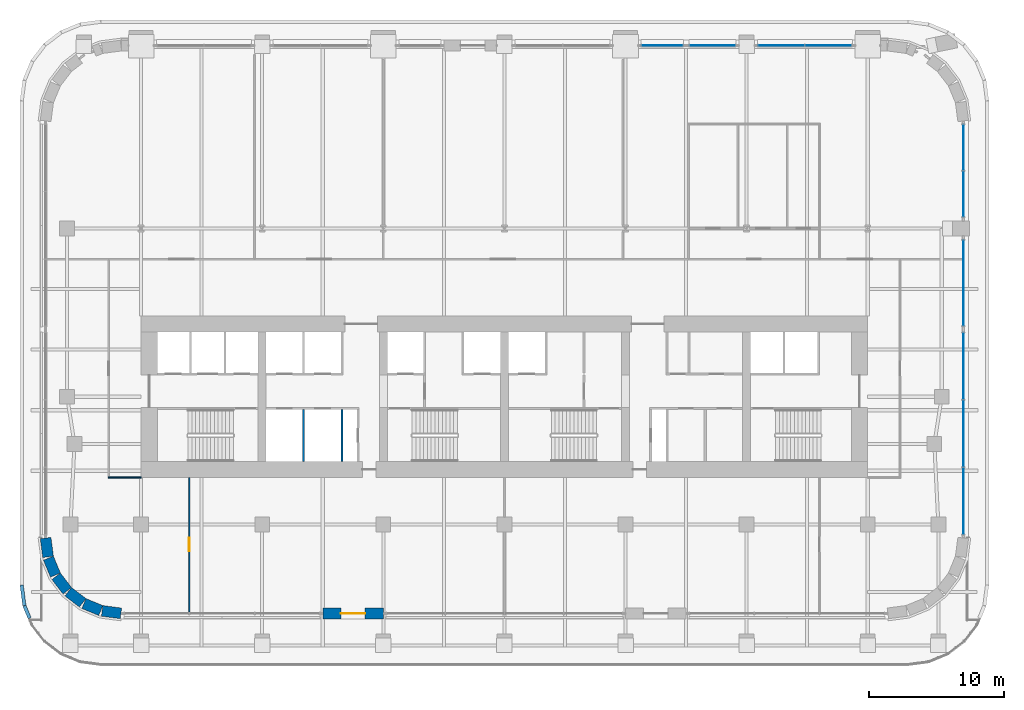
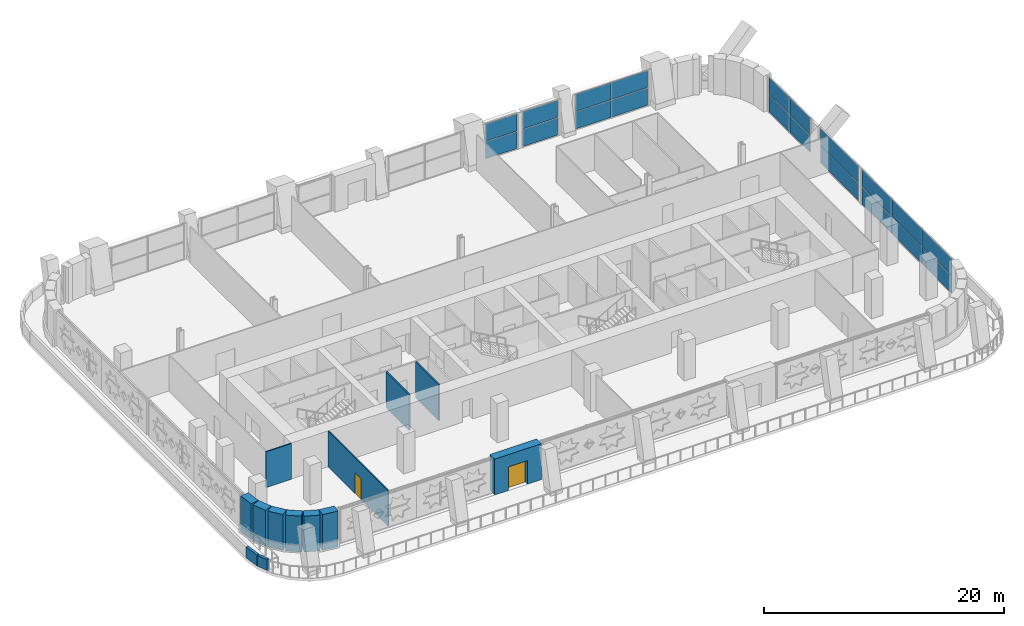
# One storey, part 14 of 26: 20 plates, 13 walls, 2 doors, 2 openings, 6 elements without a shape of their own.
"""IFC4 building model written with IfcOpenShell, lengths in metres."""

from ifc_helpers import new_model, si_unit, direction, frame, frame_2d, origin, origin_2d, place, context, subcontext, project, spatial, rectangle, extrude, material, layer, layer_set, type_object, element, fill, aggregate, save


model = new_model("IFC4")

# Units and contexts
model_context = context("Model", 3, precision=1e-05, world=origin(), true_north=direction((0.0, 1.0)))
body_context = subcontext(model_context, "Body", "Model", "MODEL_VIEW")
ifc_project = project(units=[si_unit("LENGTHUNIT", "METRE"), si_unit("AREAUNIT", "SQUARE_METRE"), si_unit("VOLUMEUNIT", "CUBIC_METRE"), si_unit("PLANEANGLEUNIT", "RADIAN"), si_unit("MASSUNIT", "GRAM", prefix="KILO")], contexts=[model_context])

# Site, building, storey
site_placement = place(None, origin())
site = spatial("IfcSite", under=ifc_project, at=site_placement, CompositionType="ELEMENT")
building_placement = place(site_placement, origin())
building = spatial("IfcBuilding", under=site, at=building_placement, Name="Zellij Exchange Tower", CompositionType="ELEMENT")
storey_placement = place(building_placement, frame((0.0, 0.0, 100.5)))
storey = spatial("IfcBuildingStorey", under=building, at=storey_placement, Name="L21", CompositionType="ELEMENT", Elevation=100.5)

# Curtain wall, plates
ifc_material_1 = material(Name="Aluminium frame, clear insulating glass", Category="aluminium")
curtain_wall_type = type_object("IfcCurtainWallType", Name="ENV-CW6 Sky-lobby glazing", PredefinedType="NOTDEFINED", material=ifc_material_1)
curtain_wall_1_placement = place(storey_placement, origin())
curtain_wall_1 = element("IfcCurtainWall", 1, at=curtain_wall_1_placement, inside=storey, type_object=curtain_wall_type, Name="cw.L21.07a", PredefinedType="NOTDEFINED")
ifc_material_2 = material(Name="Insulating glass unit, clear", Category="glass")
ifc_layer_1 = layer(ifc_material_2, 0.035888671875)
ifc_layer_set_1 = layer_set([ifc_layer_1], Name="Insulating glass unit, clear")
plate_type = type_object("IfcPlateType", Name="ENV-CW6P Glazed panel 36", PredefinedType="CURTAIN_PANEL", material=ifc_layer_set_1)
plate_1_placement = place(storey_placement, frame((34.10009765625, -15.74658203125, 0.06005859375), z_axis=(0.0, 0.0, 1.0), x_axis=(0.0, 1.0, 0.0)))
plate_1 = element("IfcPlate", 2, at=plate_1_placement, type_object=plate_type, Name="CW6 panel 1.1", PredefinedType="CURTAIN_PANEL", context=body_context, shape_type="SweptSolid", body=[
    extrude(rectangle(XDim=4.9345703125, YDim=0.035888671875, at=origin_2d()), origin(), (0.0, 0.0, 1.0), 1.735107421875),
])
plate_2_placement = place(storey_placement, frame((34.10009765625, -15.74658203125, 1.85498046875), z_axis=(0.0, 0.0, 1.0), x_axis=(0.0, 1.0, 0.0)))
plate_2 = element("IfcPlate", 3, at=plate_2_placement, type_object=plate_type, Name="CW6 panel 1.2", PredefinedType="CURTAIN_PANEL", context=body_context, shape_type="SweptSolid", body=[
    extrude(rectangle(XDim=4.9345703125, YDim=0.035888671875, at=origin_2d()), origin(), (0.0, 0.0, 1.0), 1.735107421875),
])
plate_3_placement = place(storey_placement, frame((34.10009765625, -10.73681640625, 0.06005859375), z_axis=(0.0, 0.0, 1.0), x_axis=(0.0, 1.0, 0.0)))
plate_3 = element("IfcPlate", 4, at=plate_3_placement, type_object=plate_type, Name="CW6 panel 2.1", PredefinedType="CURTAIN_PANEL", context=body_context, shape_type="SweptSolid", body=[
    extrude(rectangle(XDim=4.964599609375, YDim=0.035888671875, at=origin_2d()), origin(), (0.0, 0.0, 1.0), 1.735107421875),
])
plate_4_placement = place(storey_placement, frame((34.10009765625, -10.73681640625, 1.85498046875), z_axis=(0.0, 0.0, 1.0), x_axis=(0.0, 1.0, 0.0)))
plate_4 = element("IfcPlate", 5, at=plate_4_placement, type_object=plate_type, Name="CW6 panel 2.2", PredefinedType="CURTAIN_PANEL", context=body_context, shape_type="SweptSolid", body=[
    extrude(rectangle(XDim=4.964599609375, YDim=0.035888671875, at=origin_2d()), origin(), (0.0, 0.0, 1.0), 1.735107421875),
])
plate_5_placement = place(storey_placement, frame((34.10009765625, -5.727294921875, 0.06005859375), z_axis=(0.0, 0.0, 1.0), x_axis=(0.0, 1.0, 0.0)))
plate_5 = element("IfcPlate", 6, at=plate_5_placement, type_object=plate_type, Name="CW6 panel 3.1", PredefinedType="CURTAIN_PANEL", context=body_context, shape_type="SweptSolid", body=[
    extrude(rectangle(XDim=4.9345703125, YDim=0.035888671875, at=origin_2d()), origin(), (0.0, 0.0, 1.0), 1.735107421875),
])
plate_6_placement = place(storey_placement, frame((34.10009765625, -5.727294921875, 1.85498046875), z_axis=(0.0, 0.0, 1.0), x_axis=(0.0, 1.0, 0.0)))
plate_6 = element("IfcPlate", 7, at=plate_6_placement, type_object=plate_type, Name="CW6 panel 3.2", PredefinedType="CURTAIN_PANEL", context=body_context, shape_type="SweptSolid", body=[
    extrude(rectangle(XDim=4.9345703125, YDim=0.035888671875, at=origin_2d()), origin(), (0.0, 0.0, 1.0), 1.735107421875),
])
aggregate(curtain_wall_1, [plate_1, plate_2, plate_3, plate_4, plate_5, plate_6])

curtain_wall_2_placement = place(storey_placement, origin())
curtain_wall_2 = element("IfcCurtainWall", 8, at=curtain_wall_2_placement, inside=storey, type_object=curtain_wall_type, Name="cw.L21.07b", PredefinedType="NOTDEFINED")
plate_7_placement = place(storey_placement, frame((34.10009765625, 0.449951171875, 0.06005859375), z_axis=(0.0, 0.0, 1.0), x_axis=(0.0, 1.0, 0.0)))
plate_7 = element("IfcPlate", 9, at=plate_7_placement, type_object=plate_type, Name="CW6 panel 1.1", PredefinedType="CURTAIN_PANEL", context=body_context, shape_type="SweptSolid", body=[
    extrude(rectangle(XDim=6.3798828125, YDim=0.035888671875, at=origin_2d()), origin(), (0.0, 0.0, 1.0), 1.735107421875),
])
plate_8_placement = place(storey_placement, frame((34.10009765625, 0.449951171875, 1.85498046875), z_axis=(0.0, 0.0, 1.0), x_axis=(0.0, 1.0, 0.0)))
plate_8 = element("IfcPlate", 10, at=plate_8_placement, type_object=plate_type, Name="CW6 panel 1.2", PredefinedType="CURTAIN_PANEL", context=body_context, shape_type="SweptSolid", body=[
    extrude(rectangle(XDim=6.3798828125, YDim=0.035888671875, at=origin_2d()), origin(), (0.0, 0.0, 1.0), 1.735107421875),
])
aggregate(curtain_wall_2, [plate_7, plate_8])

curtain_wall_3_placement = place(storey_placement, origin())
curtain_wall_3 = element("IfcCurtainWall", 11, at=curtain_wall_3_placement, inside=storey, type_object=curtain_wall_type, Name="cw.L21.07c", PredefinedType="NOTDEFINED")
plate_9_placement = place(storey_placement, frame((34.10009765625, 7.058349609375, 0.06005859375), z_axis=(0.0, 0.0, 1.0), x_axis=(0.0, 1.0, 0.0)))
plate_9 = element("IfcPlate", 12, at=plate_9_placement, type_object=plate_type, Name="CW6 panel 1.1", PredefinedType="CURTAIN_PANEL", context=body_context, shape_type="SweptSolid", body=[
    extrude(rectangle(XDim=3.39697265625, YDim=0.035888671875, at=origin_2d()), origin(), (0.0, 0.0, 1.0), 1.735107421875),
])
plate_10_placement = place(storey_placement, frame((34.10009765625, 7.058349609375, 1.85498046875), z_axis=(0.0, 0.0, 1.0), x_axis=(0.0, 1.0, 0.0)))
plate_10 = element("IfcPlate", 13, at=plate_10_placement, type_object=plate_type, Name="CW6 panel 1.2", PredefinedType="CURTAIN_PANEL", context=body_context, shape_type="SweptSolid", body=[
    extrude(rectangle(XDim=3.39697265625, YDim=0.035888671875, at=origin_2d()), origin(), (0.0, 0.0, 1.0), 1.735107421875),
])
plate_11_placement = place(storey_placement, frame((34.10009765625, 10.515380859375, 0.06005859375), z_axis=(0.0, 0.0, 1.0), x_axis=(0.0, 1.0, 0.0)))
plate_11 = element("IfcPlate", 14, at=plate_11_placement, type_object=plate_type, Name="CW6 panel 2.1", PredefinedType="CURTAIN_PANEL", context=body_context, shape_type="SweptSolid", body=[
    extrude(rectangle(XDim=3.39697265625, YDim=0.035888671875, at=origin_2d()), origin(), (0.0, 0.0, 1.0), 1.735107421875),
])
plate_12_placement = place(storey_placement, frame((34.10009765625, 10.515380859375, 1.85498046875), z_axis=(0.0, 0.0, 1.0), x_axis=(0.0, 1.0, 0.0)))
plate_12 = element("IfcPlate", 15, at=plate_12_placement, type_object=plate_type, Name="CW6 panel 2.2", PredefinedType="CURTAIN_PANEL", context=body_context, shape_type="SweptSolid", body=[
    extrude(rectangle(XDim=3.39697265625, YDim=0.035888671875, at=origin_2d()), origin(), (0.0, 0.0, 1.0), 1.735107421875),
])
aggregate(curtain_wall_3, [plate_9, plate_10, plate_11, plate_12])

curtain_wall_4_placement = place(storey_placement, origin())
curtain_wall_4 = element("IfcCurtainWall", 16, at=curtain_wall_4_placement, inside=storey, type_object=curtain_wall_type, Name="cw.L21.14b", PredefinedType="NOTDEFINED")
plate_13_placement = place(storey_placement, frame((24.072509765625, 18.10009765625, 0.06005859375), z_axis=(0.0, 0.0, 1.0), x_axis=(-1.0, 0.0, 0.0)))
plate_13 = element("IfcPlate", 17, at=plate_13_placement, type_object=plate_type, Name="CW6 panel 1.1", PredefinedType="CURTAIN_PANEL", context=body_context, shape_type="SweptSolid", body=[
    extrude(rectangle(XDim=3.43505859375, YDim=0.035888671875, at=origin_2d()), origin(), (0.0, 0.0, 1.0), 1.735107421875),
])
plate_14_placement = place(storey_placement, frame((24.072509765625, 18.10009765625, 1.85498046875), z_axis=(0.0, 0.0, 1.0), x_axis=(-1.0, 0.0, 0.0)))
plate_14 = element("IfcPlate", 18, at=plate_14_placement, type_object=plate_type, Name="CW6 panel 1.2", PredefinedType="CURTAIN_PANEL", context=body_context, shape_type="SweptSolid", body=[
    extrude(rectangle(XDim=3.43505859375, YDim=0.035888671875, at=origin_2d()), origin(), (0.0, 0.0, 1.0), 1.735107421875),
])
plate_15_placement = place(storey_placement, frame((20.577392578125, 18.10009765625, 0.06005859375), z_axis=(0.0, 0.0, 1.0), x_axis=(-1.0, 0.0, 0.0)))
plate_15 = element("IfcPlate", 19, at=plate_15_placement, type_object=plate_type, Name="CW6 panel 2.1", PredefinedType="CURTAIN_PANEL", context=body_context, shape_type="SweptSolid", body=[
    extrude(rectangle(XDim=3.43505859375, YDim=0.035888671875, at=origin_2d()), origin(), (0.0, 0.0, 1.0), 1.735107421875),
])
plate_16_placement = place(storey_placement, frame((20.577392578125, 18.10009765625, 1.85498046875), z_axis=(0.0, 0.0, 1.0), x_axis=(-1.0, 0.0, 0.0)))
plate_16 = element("IfcPlate", 20, at=plate_16_placement, type_object=plate_type, Name="CW6 panel 2.2", PredefinedType="CURTAIN_PANEL", context=body_context, shape_type="SweptSolid", body=[
    extrude(rectangle(XDim=3.43505859375, YDim=0.035888671875, at=origin_2d()), origin(), (0.0, 0.0, 1.0), 1.735107421875),
])
aggregate(curtain_wall_4, [plate_13, plate_14, plate_15, plate_16])

curtain_wall_5_placement = place(storey_placement, origin())
curtain_wall_5 = element("IfcCurtainWall", 21, at=curtain_wall_5_placement, inside=storey, type_object=curtain_wall_type, Name="cw.L21.14c", PredefinedType="NOTDEFINED")
plate_17_placement = place(storey_placement, frame((15.449951171875, 18.10009765625, 0.06005859375), z_axis=(0.0, 0.0, 1.0), x_axis=(-1.0, 0.0, 0.0)))
plate_17 = element("IfcPlate", 22, at=plate_17_placement, type_object=plate_type, Name="CW6 panel 1.1", PredefinedType="CURTAIN_PANEL", context=body_context, shape_type="SweptSolid", body=[
    extrude(rectangle(XDim=3.3798828125, YDim=0.035888671875, at=origin_2d()), origin(), (0.0, 0.0, 1.0), 1.735107421875),
])
plate_18_placement = place(storey_placement, frame((15.449951171875, 18.10009765625, 1.85498046875), z_axis=(0.0, 0.0, 1.0), x_axis=(-1.0, 0.0, 0.0)))
plate_18 = element("IfcPlate", 23, at=plate_18_placement, type_object=plate_type, Name="CW6 panel 1.2", PredefinedType="CURTAIN_PANEL", context=body_context, shape_type="SweptSolid", body=[
    extrude(rectangle(XDim=3.3798828125, YDim=0.035888671875, at=origin_2d()), origin(), (0.0, 0.0, 1.0), 1.735107421875),
])
aggregate(curtain_wall_5, [plate_17, plate_18])

curtain_wall_6_placement = place(storey_placement, origin())
curtain_wall_6 = element("IfcCurtainWall", 24, at=curtain_wall_6_placement, inside=storey, type_object=curtain_wall_type, Name="cw.L21.14d", PredefinedType="NOTDEFINED")
plate_19_placement = place(storey_placement, frame((11.72509765625, 18.10009765625, 0.06005859375), z_axis=(0.0, 0.0, 1.0), x_axis=(-1.0, 0.0, 0.0)))
plate_19 = element("IfcPlate", 25, at=plate_19_placement, type_object=plate_type, Name="CW6 panel 1.1", PredefinedType="CURTAIN_PANEL", context=body_context, shape_type="SweptSolid", body=[
    extrude(rectangle(XDim=3.030029296875, YDim=0.035888671875, at=origin_2d()), origin(), (0.0, 0.0, 1.0), 1.735107421875),
])
plate_20_placement = place(storey_placement, frame((11.72509765625, 18.10009765625, 1.85498046875), z_axis=(0.0, 0.0, 1.0), x_axis=(-1.0, 0.0, 0.0)))
plate_20 = element("IfcPlate", 26, at=plate_20_placement, type_object=plate_type, Name="CW6 panel 1.2", PredefinedType="CURTAIN_PANEL", context=body_context, shape_type="SweptSolid", body=[
    extrude(rectangle(XDim=3.030029296875, YDim=0.035888671875, at=origin_2d()), origin(), (0.0, 0.0, 1.0), 1.735107421875),
])
aggregate(curtain_wall_6, [plate_19, plate_20])

# Walls
ifc_material_3 = material(Name="Gypsum shaft wall system")
ifc_layer_2 = layer(ifc_material_3, 0.14990234375)
ifc_layer_set_2 = layer_set([ifc_layer_2], Name="Gypsum shaft wall system")
wall_type_1 = type_object("IfcWallType", Name="CORE-PW 150 Lift shaft wall", PredefinedType="PARTITIONING", material=ifc_layer_set_2)
for number, where, z_axis, x_axis, name in (
    (27, (-12.074951171875, -12.800048828125, 0.0), (0.0, 0.0, 1.0), (0.0, 1.0, 0.0), "Lift shaft wall L21"),
    (28, (-14.925048828125, -12.800048828125, 0.0), (0.0, 0.0, 1.0), (0.0, 1.0, 0.0), "Lift shaft wall L21"),
):
    element("IfcWall", number, at=place(storey_placement, frame(where, z_axis=z_axis, x_axis=x_axis)), inside=storey, type_object=wall_type_1, Name=name, PredefinedType="PARTITIONING", context=body_context, shape_type="SweptSolid", body=[
        extrude(rectangle(XDim=3.85009765625, YDim=0.14990234375, at=frame_2d((1.925048828125, 0.0))), origin(), (0.0, 0.0, 1.0), 3.64990234375),
    ])

# Wall, opening, door
ifc_material_4 = material(Name="Precast concrete C40/50", Category="concrete")
ifc_layer_3 = layer(ifc_material_4, 0.800048828125)
ifc_layer_set_3 = layer_set([ifc_layer_3], Name="Precast concrete C40/50")
wall_type_2 = type_object("IfcWallType", Name="ENV-EW1 Precast stone-piered wall 800", PredefinedType="SOLIDWALL", material=ifc_layer_set_3)
wall_1_placement = place(storey_placement, frame((-13.5, -24.10009765625, 0.0), z_axis=(0.0, 0.0, 1.0), x_axis=(1.0, 0.0, 0.0)))
wall_1 = element("IfcWall", 29, at=wall_1_placement, inside=storey, type_object=wall_type_2, Name="fac.L21.00b", PredefinedType="SOLIDWALL", context=body_context, shape_type="SweptSolid", body=[
    extrude(rectangle(XDim=4.5, YDim=0.800048828125, at=frame_2d((2.25, 0.0))), origin(), (0.0, 0.0, 1.0), 3.64990234375),
])
opening_1_placement = place(wall_1_placement, frame((1.35009765625, 0.0, 0.0)))
opening_1 = element("IfcOpeningElement", 30, at=opening_1_placement, cuts=wall_1, Name="Opening FT1.13", PredefinedType="OPENING", context=body_context, shape_type="SweptSolid", body=[
    extrude(rectangle(XDim=1.800048828125, YDim=2.39990234375, at=frame_2d((0.89990234375, 1.199951171875))), frame((0.0, 0.412109375, 0.0), z_axis=(0.0, -1.0, 0.0), x_axis=(1.0, 0.0, 0.0)), (0.0, 0.0, 1.0), 0.823974609375),
])
ifc_material_5 = material(Name="Aluminium and glass terrace door", Category="aluminium")
door_type_1 = type_object("IfcDoorType", Name="ENV-ED5 Terrace door 1800x2400", OperationType="DOUBLE_DOOR_SINGLE_SWING", PredefinedType="DOOR", material=ifc_material_5)
door_1_placement = place(opening_1_placement, origin())
door_1 = element("IfcDoor", 31, at=door_1_placement, inside=storey, type_object=door_type_1, Name="Terrace door FT1.13", OperationType="DOUBLE_DOOR_SINGLE_SWING", OverallHeight=2.39990234375, OverallWidth=1.800048828125, PredefinedType="DOOR", context=body_context, shape_type="SweptSolid", body=[
    extrude(rectangle(XDim=1.800048828125, YDim=2.39990234375, at=frame_2d((0.89990234375, 1.199951171875))), frame((0.0, 0.02490234375, 0.0), z_axis=(0.0, -1.0, 0.0), x_axis=(1.0, 0.0, 0.0)), (0.0, 0.0, 1.0), 0.050048828125),
])
fill(opening_1, door_1)

# Walls
wall_2_placement = place(storey_placement, frame((-34.0966796875, -18.499755859375, 0.0), z_axis=(0.0, 0.0, 1.0), x_axis=(0.130517283865, -0.99144603414, 0.0)))
element("IfcWall", 32, at=wall_2_placement, inside=storey, type_object=wall_type_2, Name="fac.L21.22", PredefinedType="SOLIDWALL", context=body_context, shape_type="SweptSolid", body=[
    extrude(rectangle(XDim=1.408447265625, YDim=0.800048828125, at=frame_2d((0.7041015625, 0.0))), origin(), (0.0, 0.0, 1.0), 3.64990234375),
])
wall_3_placement = place(storey_placement, frame((-33.8857421875, -19.997314453125, 0.0), z_axis=(0.0, 0.0, 1.0), x_axis=(0.38276009378, -0.923847774587, 0.0)))
element("IfcWall", 33, at=wall_3_placement, inside=storey, type_object=wall_type_2, Name="fac.L21.23", PredefinedType="SOLIDWALL", context=body_context, shape_type="SweptSolid", body=[
    extrude(rectangle(XDim=1.35546875, YDim=0.800048828125, at=frame_2d((0.677734375, 0.0))), origin(), (0.0, 0.0, 1.0), 3.64990234375),
])
for number, where, z_axis, x_axis, name in (
    (34, (-33.314697265625, -21.340087890625, 0.0), (0.0, 0.0, 1.0), (0.608866226366, -0.793272915452, 0.0), "fac.L21.24"),
    (35, (-32.41552734375, -22.4892578125, 0.0), (0.0, 0.0, 1.0), (0.793272915452, -0.608866226366, 0.0), "fac.L21.25"),
):
    element("IfcWall", number, at=place(storey_placement, frame(where, z_axis=z_axis, x_axis=x_axis)), inside=storey, type_object=wall_type_2, Name=name, PredefinedType="SOLIDWALL", context=body_context, shape_type="SweptSolid", body=[
        extrude(rectangle(XDim=1.355712890625, YDim=0.800048828125, at=frame_2d((0.677734375, 0.0))), origin(), (0.0, 0.0, 1.0), 3.64990234375),
    ])
wall_4_placement = place(storey_placement, frame((-31.24951171875, -23.366943359375, 0.0), z_axis=(0.0, 0.0, 1.0), x_axis=(0.923847774587, -0.38276009378, 0.0)))
element("IfcWall", 36, at=wall_4_placement, inside=storey, type_object=wall_type_2, Name="fac.L21.26", PredefinedType="SOLIDWALL", context=body_context, shape_type="SweptSolid", body=[
    extrude(rectangle(XDim=1.35546875, YDim=0.800048828125, at=frame_2d((0.677734375, 0.0))), origin(), (0.0, 0.0, 1.0), 3.64990234375),
])
wall_5_placement = place(storey_placement, frame((-29.896240234375, -23.912841796875, 0.0), z_axis=(0.0, 0.0, 1.0), x_axis=(0.99144603414, -0.130517283865, 0.0)))
element("IfcWall", 37, at=wall_5_placement, inside=storey, type_object=wall_type_2, Name="fac.L21.27", PredefinedType="SOLIDWALL", context=body_context, shape_type="SweptSolid", body=[
    extrude(rectangle(XDim=1.408447265625, YDim=0.800048828125, at=frame_2d((0.7041015625, 0.0))), origin(), (0.0, 0.0, 1.0), 3.64990234375),
])
ifc_layer_4 = layer(ifc_material_4, 0.25)
ifc_layer_set_4 = layer_set([ifc_layer_4], Name="Precast concrete C40/50")
wall_type_3 = type_object("IfcWallType", Name="ENV-PR1 Parapet 250", PredefinedType="PARAPET", material=ifc_layer_set_4)
wall_6_placement = place(storey_placement, frame((-35.873779296875, -22.0, 0.0), z_axis=(0.0, 0.0, 1.0), x_axis=(0.130371242108, -0.991465248625, 0.0)))
element("IfcWall", 38, at=wall_6_placement, inside=storey, type_object=wall_type_3, Name="fac.par.L21.02.01.18", PredefinedType="PARAPET", context=body_context, shape_type="SweptSolid", body=[
    extrude(rectangle(XDim=1.516845703125, YDim=0.25, at=frame_2d((0.75830078125, 0.0))), origin(), (0.0, 0.0, 1.0), 1.10009765625),
])
wall_7_placement = place(storey_placement, frame((-35.66748046875, -23.535400390625, 0.0), z_axis=(0.0, 0.0, 1.0), x_axis=(0.382605320631, -0.923911883582, 0.0)))
element("IfcWall", 39, at=wall_7_placement, inside=storey, type_object=wall_type_3, Name="fac.par.L21.02.01.19", PredefinedType="PARAPET", context=body_context, shape_type="SweptSolid", body=[
    extrude(rectangle(XDim=0.9921875, YDim=0.25, at=frame_2d((0.49609375, 0.0))), origin(), (0.0, 0.0, 1.0), 1.10009765625),
])

# Wall, opening, door
ifc_material_6 = material(Name="Gypsum board partition on steel studs", Category="steel")
ifc_layer_5 = layer(ifc_material_6, 0.10009765625)
ifc_layer_set_5 = layer_set([ifc_layer_5], Name="Gypsum board partition on steel studs")
wall_type_4 = type_object("IfcWallType", Name="FIT-PARTITION-100", PredefinedType="PARTITIONING", material=ifc_layer_set_5)
wall_8_placement = place(storey_placement, frame((-23.419921875, -23.97998046875, 0.0), z_axis=(0.0, 0.0, 1.0), x_axis=(0.0, 1.0, 0.0)))
wall_8 = element("IfcWall", 40, at=wall_8_placement, inside=storey, type_object=wall_type_4, Name="FIT-PARTITION-100 001", PredefinedType="PARTITIONING", context=body_context, shape_type="SweptSolid", body=[
    extrude(rectangle(XDim=9.97998046875, YDim=0.10009765625, at=frame_2d((4.989990234375, 0.0))), origin(), (0.0, 0.0, 1.0), 3.64990234375),
])
opening_2_placement = place(wall_8_placement, frame((4.5, 0.0, 0.0)))
opening_2 = element("IfcOpeningElement", 41, at=opening_2_placement, cuts=wall_8, Name="Opening SL1.01", PredefinedType="OPENING", context=body_context, shape_type="SweptSolid", body=[
    extrude(rectangle(XDim=1.0, YDim=2.10009765625, at=frame_2d((0.5, 1.050048828125))), frame((0.0, 0.06201171875, 0.0), z_axis=(0.0, -1.0, 0.0), x_axis=(1.0, 0.0, 0.0)), (0.0, 0.0, 1.0), 0.1240234375),
])
ifc_material_7 = material(Name="Timber door set", Category="wood")
door_type_2 = type_object("IfcDoorType", Name="FIT-D2-WIDE-1000X2100", OperationType="SINGLE_SWING_LEFT", PredefinedType="DOOR", material=ifc_material_7)
door_2_placement = place(opening_2_placement, origin())
door_2 = element("IfcDoor", 42, at=door_2_placement, inside=storey, type_object=door_type_2, Name="Door SL1.01", OperationType="SINGLE_SWING_RIGHT", OverallHeight=2.10009765625, OverallWidth=1.0, PredefinedType="DOOR", context=body_context, shape_type="SweptSolid", body=[
    extrude(rectangle(XDim=1.0, YDim=2.10009765625, at=frame_2d((0.5, 1.050048828125))), frame((0.0, 0.02490234375, 0.0), z_axis=(0.0, -1.0, 0.0), x_axis=(1.0, 0.0, 0.0)), (0.0, 0.0, 1.0), 0.050048828125),
])
fill(opening_2, door_2)

# Wall
wall_9_placement = place(storey_placement, frame((-29.449951171875, -14.0, 0.0), z_axis=(0.0, 0.0, 1.0), x_axis=(1.0, 0.0, 0.0)))
element("IfcWall", 43, at=wall_9_placement, inside=storey, type_object=wall_type_4, Name="FIT-PARTITION-100 005", PredefinedType="PARTITIONING", context=body_context, shape_type="SweptSolid", body=[
    extrude(rectangle(XDim=2.449951171875, YDim=0.10009765625, at=frame_2d((1.22509765625, 0.0))), origin(), (0.0, 0.0, 1.0), 3.64990234375),
])

save(model, "model.ifc")
